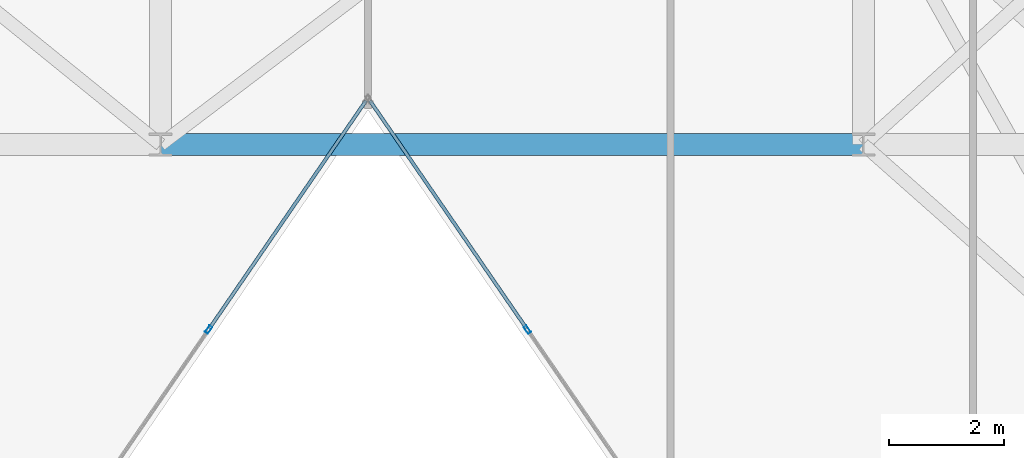
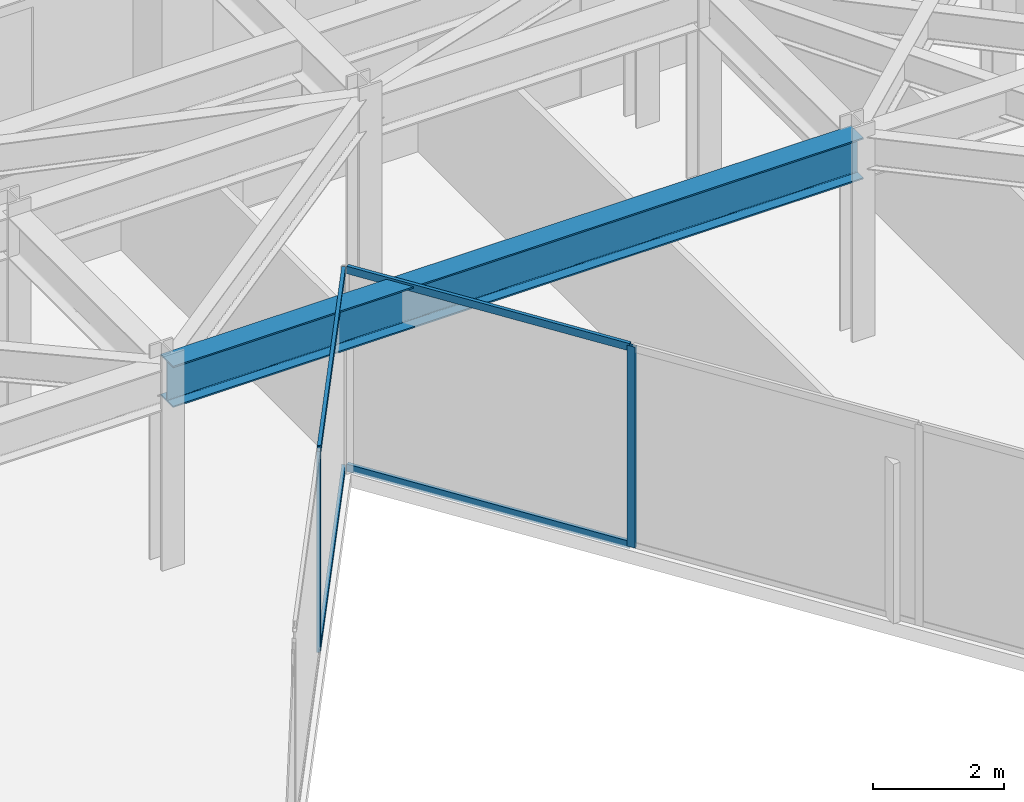
# One storey, part 8 of 27: 6 members, 1 beam, 2 elements without a shape of their own.
"""IFC4 building model written with IfcOpenShell, lengths in metres."""

from ifc_helpers import new_model, si_unit, direction, frame, origin, origin_2d, place, context, subcontext, project, spatial, hollow_rectangle, i_section, extrude, material, layer, layer_set, material_profile, profile_set, type_object, element, aggregate, save


model = new_model("IFC4")

# Units and contexts
model_context = context("Model", 3, precision=1e-05, world=origin(), true_north=direction((0.0, 1.0)))
body_context = subcontext(model_context, "Body", "Model", "MODEL_VIEW")
ifc_project = project(units=[si_unit("LENGTHUNIT", "METRE"), si_unit("AREAUNIT", "SQUARE_METRE"), si_unit("VOLUMEUNIT", "CUBIC_METRE"), si_unit("PLANEANGLEUNIT", "RADIAN"), si_unit("MASSUNIT", "GRAM", prefix="KILO")], contexts=[model_context])

# Site, building, storey
site_placement = place(None, origin())
site = spatial("IfcSite", under=ifc_project, at=site_placement, CompositionType="ELEMENT")
building_placement = place(site_placement, origin())
building = spatial("IfcBuilding", under=site, at=building_placement, Name="Kravanh Interchange Tower", CompositionType="ELEMENT")
storey_placement = place(building_placement, frame((0.0, 0.0, 196.5)))
storey = spatial("IfcBuildingStorey", under=building, at=storey_placement, Name="L47", CompositionType="ELEMENT", Elevation=196.5)

# Curtain wall, member
ifc_material_1 = material(Name="Anodised Bronze Aluminium", Category="aluminium")
ifc_layer = layer(ifc_material_1, 0.179931640625)
ifc_layer_set = layer_set([ifc_layer], Name="Unitised Curtain Wall System CW-Z3 Upper Office")
curtain_wall_type = type_object("IfcCurtainWallType", Name="Unitised Curtain Wall System CW-Z3 Upper Office", PredefinedType="NOTDEFINED", material=ifc_layer_set)
curtain_wall_1_placement = place(storey_placement, origin())
curtain_wall_1 = element("IfcCurtainWall", 1, at=curtain_wall_1_placement, inside=storey, type_object=curtain_wall_type, Name="L47 Unitised Curtain Wall CW-L47-04", PredefinedType="NOTDEFINED")
ifc_material_2 = material(Name="Anodised Bronze Aluminium", Category="aluminium")
ifc_material_profile_1 = material_profile(ifc_material_2, hollow_rectangle(XDim=0.06005859375, YDim=0.139892578125, WallThickness=0.00390625, at=origin_2d()), Name="ALU60X140X4")
ifc_profile_set_1 = profile_set([ifc_material_profile_1], Name="Anodised Bronze Aluminium")
member_type_1 = type_object("IfcMemberType", Name="Curtain Wall Mullion ALU60X140X4 Bronze", PredefinedType="MULLION", material=ifc_profile_set_1)
member_1_placement = place(storey_placement, frame((44.9658203125, 23.5888671875, 0.0), z_axis=(0.0, 0.0, 1.0), x_axis=(-0.824042223035, -0.566528388217, 0.0)))
member_1 = element("IfcMember", 2, at=member_1_placement, type_object=member_type_1, Name="CW-Z3 mullion 4", PredefinedType="MULLION", context=body_context, shape_type="SweptSolid", body=[
    extrude(hollow_rectangle(XDim=0.06005859375, YDim=0.139892578125, WallThickness=0.00390625, at=origin_2d()), origin(), (0.0, 0.0, 1.0), 3.7548828125),
])

curtain_wall_2_placement = place(storey_placement, origin())
curtain_wall_2 = element("IfcCurtainWall", 3, at=curtain_wall_2_placement, inside=storey, type_object=curtain_wall_type, Name="L47 Unitised Curtain Wall CW-L47-05", PredefinedType="NOTDEFINED")
member_2_placement = place(storey_placement, frame((39.434326171875, 23.5888671875, 0.0), z_axis=(0.0, 0.0, 1.0), x_axis=(0.824042223035, -0.566528388217, 0.0)))
member_2 = element("IfcMember", 4, at=member_2_placement, type_object=member_type_1, Name="CW-Z3 mullion 2", PredefinedType="MULLION", context=body_context, shape_type="SweptSolid", body=[
    extrude(hollow_rectangle(XDim=0.06005859375, YDim=0.139892578125, WallThickness=0.00390625, at=origin_2d()), origin(), (0.0, 0.0, 1.0), 3.7548828125),
])

# Member
ifc_material_3 = material(Name="Anodised Bronze Aluminium", Category="aluminium")
ifc_material_profile_2 = material_profile(ifc_material_3, hollow_rectangle(XDim=0.06005859375, YDim=0.139892578125, WallThickness=0.00390625, at=origin_2d()), Name="ALU60X140X4")
ifc_profile_set_2 = profile_set([ifc_material_profile_2], Name="Anodised Bronze Aluminium")
member_type_2 = type_object("IfcMemberType", Name="Curtain Wall Transom ALU60X140X4 Bronze", PredefinedType="USERDEFINED", material=ifc_profile_set_2)
member_3_placement = place(storey_placement, frame((44.94873046875, 23.613525390625, 0.030029296875), z_axis=(-0.566541796314, 0.824033004818, 0.0), x_axis=(-0.824033004818, -0.566541796314, 0.0)))
member_3 = element("IfcMember", 5, at=member_3_placement, type_object=member_type_2, Name="CW-Z3 transom 4.1", ObjectType="TRANSOM", PredefinedType="USERDEFINED", context=body_context, shape_type="SweptSolid", body=[
    extrude(hollow_rectangle(XDim=0.06005859375, YDim=0.139892578125, WallThickness=0.00390625, at=origin_2d()), origin(), (0.0, 0.0, 1.0), 4.7919921875),
])

member_4_placement = place(storey_placement, frame((44.94873046875, 23.613525390625, 3.72509765625), z_axis=(-0.566541796314, 0.824033004818, 0.0), x_axis=(-0.824033004818, -0.566541796314, 0.0)))
member_4 = element("IfcMember", 6, at=member_4_placement, type_object=member_type_2, Name="CW-Z3 transom 4.2", ObjectType="TRANSOM", PredefinedType="USERDEFINED", context=body_context, shape_type="SweptSolid", body=[
    extrude(hollow_rectangle(XDim=0.06005859375, YDim=0.139892578125, WallThickness=0.00390625, at=origin_2d()), origin(), (0.0, 0.0, 1.0), 4.7919921875),
])

aggregate(curtain_wall_1, [member_1, member_3, member_4])

member_5_placement = place(storey_placement, frame((42.166015625, 27.562255859375, 0.030029296875), z_axis=(-0.566541796314, -0.824033004818, 0.0), x_axis=(0.824033004818, -0.566541796314, 0.0)))
member_5 = element("IfcMember", 7, at=member_5_placement, type_object=member_type_2, Name="CW-Z3 transom 1.1", ObjectType="TRANSOM", PredefinedType="USERDEFINED", context=body_context, shape_type="SweptSolid", body=[
    extrude(hollow_rectangle(XDim=0.06005859375, YDim=0.139892578125, WallThickness=0.00390625, at=origin_2d()), origin(), (0.0, 0.0, 1.0), 4.7919921875),
])

member_6_placement = place(storey_placement, frame((42.166015625, 27.562255859375, 3.72509765625), z_axis=(-0.566541796314, -0.824033004818, 0.0), x_axis=(0.824033004818, -0.566541796314, 0.0)))
member_6 = element("IfcMember", 8, at=member_6_placement, type_object=member_type_2, Name="CW-Z3 transom 1.2", ObjectType="TRANSOM", PredefinedType="USERDEFINED", context=body_context, shape_type="SweptSolid", body=[
    extrude(hollow_rectangle(XDim=0.06005859375, YDim=0.139892578125, WallThickness=0.00390625, at=origin_2d()), origin(), (0.0, 0.0, 1.0), 4.7919921875),
])

aggregate(curtain_wall_2, [member_2, member_5, member_6])

# Beam
ifc_material_4 = material(Name="Structural Steel S355", Category="steel")
ifc_material_profile_3 = material_profile(ifc_material_4, i_section(OverallWidth=0.381103515625, OverallDepth=0.77294921875, WebThickness=0.0166015625, FlangeThickness=0.027099609375, FilletRadius=0.02490234375, at=origin_2d()), Name="W30X173")
ifc_profile_set_3 = profile_set([ifc_material_profile_3], Name="Structural Steel S355")
beam_type = type_object("IfcBeamType", Name="Floor Beam W30X173 Structural Steel S355", PredefinedType="BEAM", material=ifc_profile_set_3)
beam_placement = place(storey_placement, frame((38.60009765625, 26.800048828125, 3.368408203125), z_axis=(1.0, 0.0, 0.0), x_axis=(0.0, 1.0, 0.0)))
element("IfcBeam", 9, at=beam_placement, inside=storey, type_object=beam_type, Name="L47 Primary Floor Girder 48", PredefinedType="BEAM", context=body_context, shape_type="SweptSolid", body=[
    extrude(i_section(OverallWidth=0.381103515625, OverallDepth=0.77294921875, WebThickness=0.0166015625, FlangeThickness=0.027099609375, FilletRadius=0.02490234375, at=origin_2d()), origin(), (0.0, 0.0, 1.0), 12.199951171875),
])

save(model, "model.ifc")
